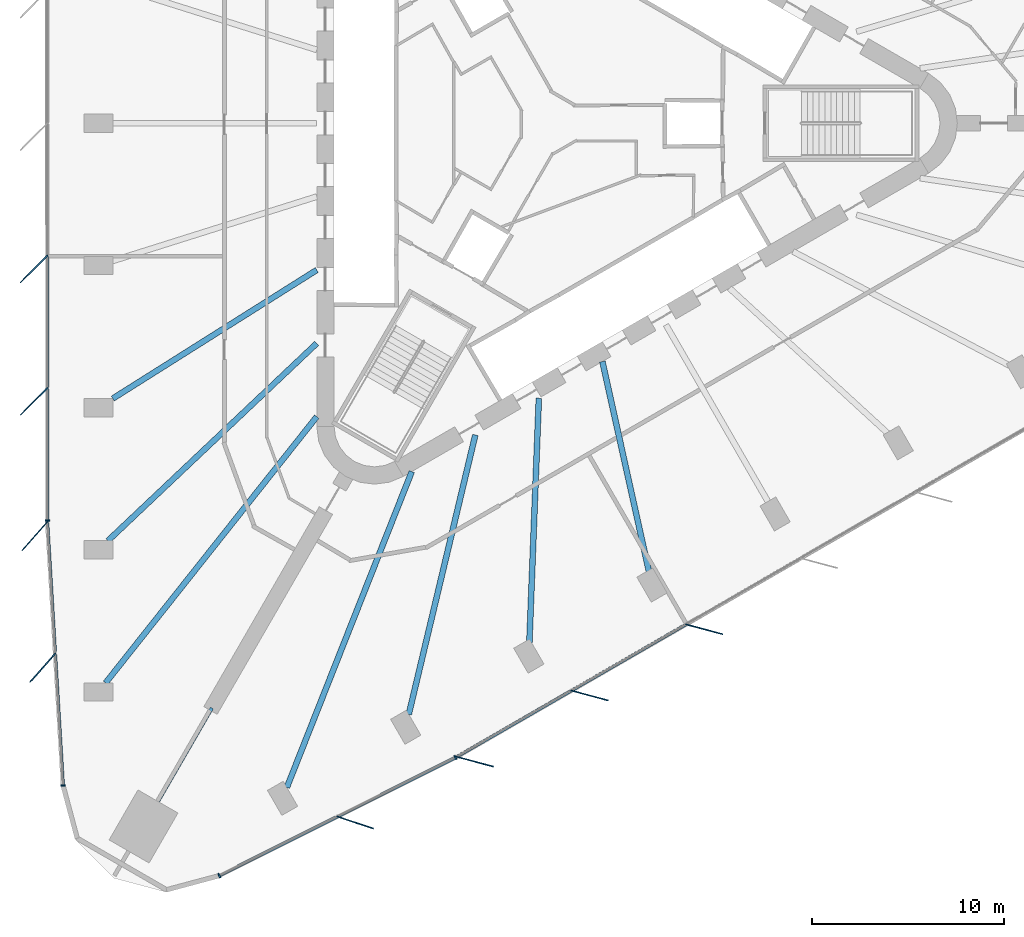
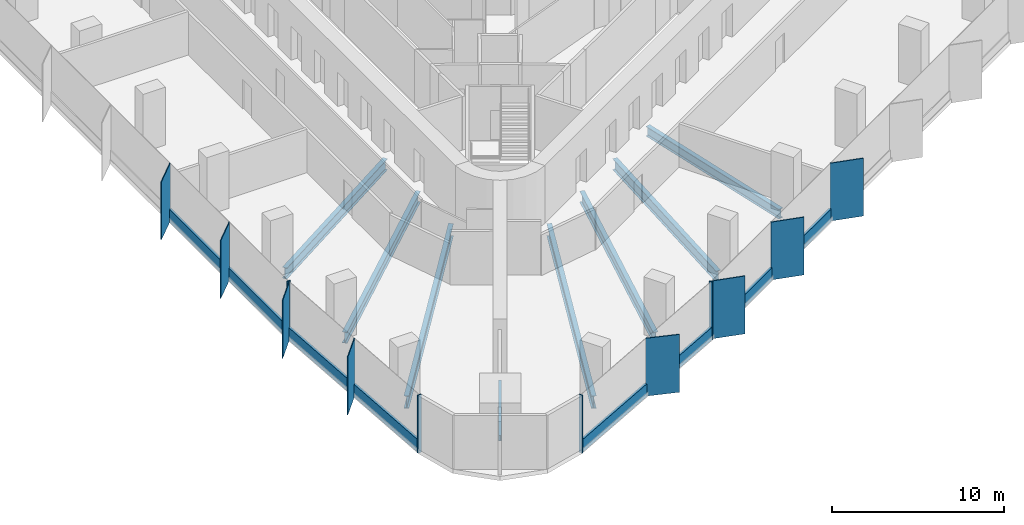
# One storey, part 2 of 14: 20 members, 8 beams, 4 elements without a shape of their own.
"""IFC4 building model written with IfcOpenShell, lengths in metres."""

from ifc_helpers import new_model, si_unit, direction, frame, origin, origin_2d, place, context, subcontext, project, spatial, rectangle, i_section, extrude, material, material_profile, profile_set, type_object, element, aggregate, save


model = new_model("IFC4")

# Units and contexts
model_context = context("Model", 3, precision=1e-05, world=origin(), true_north=direction((0.0, 1.0)))
body_context = subcontext(model_context, "Body", "Model", "MODEL_VIEW")
ifc_project = project(units=[si_unit("LENGTHUNIT", "METRE"), si_unit("AREAUNIT", "SQUARE_METRE"), si_unit("VOLUMEUNIT", "CUBIC_METRE"), si_unit("PLANEANGLEUNIT", "RADIAN"), si_unit("MASSUNIT", "GRAM", prefix="KILO")], contexts=[model_context])

# Site, building, storey
site_placement = place(None, origin())
site = spatial("IfcSite", under=ifc_project, at=site_placement, CompositionType="ELEMENT")
building_placement = place(site_placement, origin())
building = spatial("IfcBuilding", under=site, at=building_placement, Name="Tanit Gate Tower", CompositionType="ELEMENT")
storey_placement = place(building_placement, frame((0.0, 0.0, 45.5)))
storey = spatial("IfcBuildingStorey", under=building, at=storey_placement, Name="L07", CompositionType="ELEMENT", Elevation=45.5)

# Curtain wall, members
ifc_material_1 = material(Name="Aluminium bronze anodised and glass", Category="aluminium")
curtain_wall_type = type_object("IfcCurtainWallType", Name="Curtain wall typical low", PredefinedType="NOTDEFINED", material=ifc_material_1)
curtain_wall_1_placement = place(storey_placement, origin())
curtain_wall_1 = element("IfcCurtainWall", 1, at=curtain_wall_1_placement, inside=storey, type_object=curtain_wall_type, Name="Curtain wall L07 W2", PredefinedType="NOTDEFINED")
ifc_material_2 = material(Name="Aluminium bronze anodised", Category="aluminium")
ifc_material_profile_1 = material_profile(ifc_material_2, rectangle(XDim=2.0, YDim=0.055908203125, at=origin_2d()), Name="56x2000 bronze fin mullion")
ifc_profile_set_1 = profile_set([ifc_material_profile_1], Name="Aluminium bronze anodised")
member_type_1 = type_object("IfcMemberType", Name="FIN MULLION 56x2000 bronze", PredefinedType="MULLION", material=ifc_profile_set_1)
member_1_placement = place(storey_placement, frame((-26.799072265625, -7.572998046875, -0.300048828125), z_axis=(0.0, 0.0, 1.0), x_axis=(0.707057749571, 0.707155809403, 0.0)))
member_1 = element("IfcMember", 2, at=member_1_placement, type_object=member_type_1, Name="Fin mullion L07 W2.5", PredefinedType="MULLION", context=body_context, shape_type="SweptSolid", body=[
    extrude(rectangle(XDim=2.0, YDim=0.055908203125, at=origin_2d()), origin(), (0.0, 0.0, 1.0), 4.10009765625),
])
member_2_placement = place(storey_placement, frame((-26.798583984375, -14.45458984375, -0.300048828125), z_axis=(0.0, 0.0, 1.0), x_axis=(0.707057749571, 0.707155809403, 0.0)))
member_2 = element("IfcMember", 3, at=member_2_placement, type_object=member_type_1, Name="Fin mullion L07 W2.6", PredefinedType="MULLION", context=body_context, shape_type="SweptSolid", body=[
    extrude(rectangle(XDim=2.0, YDim=0.055908203125, at=origin_2d()), origin(), (0.0, 0.0, 1.0), 4.10009765625),
])

curtain_wall_2_placement = place(storey_placement, origin())
curtain_wall_2 = element("IfcCurtainWall", 4, at=curtain_wall_2_placement, inside=storey, type_object=curtain_wall_type, Name="Curtain wall L07 W3", PredefinedType="NOTDEFINED")
member_3_placement = place(storey_placement, frame((-26.753173828125, -21.456298828125, -0.300048828125), z_axis=(0.0, 0.0, 1.0), x_axis=(0.663702749837, 0.747996430378, 0.0)))
member_3 = element("IfcMember", 5, at=member_3_placement, type_object=member_type_1, Name="Fin mullion L07 W3.1", PredefinedType="MULLION", context=body_context, shape_type="SweptSolid", body=[
    extrude(rectangle(XDim=2.0, YDim=0.055908203125, at=origin_2d()), origin(), (0.0, 0.0, 1.0), 4.10009765625),
])
member_4_placement = place(storey_placement, frame((-26.34423828125, -28.3046875, -0.300048828125), z_axis=(0.0, 0.0, 1.0), x_axis=(0.663702749837, 0.747996430378, 0.0)))
member_4 = element("IfcMember", 6, at=member_4_placement, type_object=member_type_1, Name="Fin mullion L07 W3.2", PredefinedType="MULLION", context=body_context, shape_type="SweptSolid", body=[
    extrude(rectangle(XDim=2.0, YDim=0.055908203125, at=origin_2d()), origin(), (0.0, 0.0, 1.0), 4.10009765625),
])

# Curtain wall, member
curtain_wall_3_placement = place(storey_placement, origin())
curtain_wall_3 = element("IfcCurtainWall", 7, at=curtain_wall_3_placement, inside=storey, type_object=curtain_wall_type, Name="Curtain wall L07 SE1", PredefinedType="NOTDEFINED")
member_5_placement = place(storey_placement, frame((-10.103759765625, -36.35009765625, -0.300048828125), z_axis=(0.0, 0.0, 1.0), x_axis=(-0.94871615191, 0.316129187366, 0.0)))
member_5 = element("IfcMember", 8, at=member_5_placement, type_object=member_type_1, Name="Fin mullion L07 SE1.2", PredefinedType="MULLION", context=body_context, shape_type="SweptSolid", body=[
    extrude(rectangle(XDim=2.0, YDim=0.055908203125, at=origin_2d()), origin(), (0.0, 0.0, 1.0), 4.10009765625),
])

# Curtain wall, members
curtain_wall_4_placement = place(storey_placement, origin())
curtain_wall_4 = element("IfcCurtainWall", 9, at=curtain_wall_4_placement, inside=storey, type_object=curtain_wall_type, Name="Curtain wall L07 SE2", PredefinedType="NOTDEFINED")
member_6_placement = place(storey_placement, frame((-3.88037109375, -33.187255859375, -0.300048828125), z_axis=(0.0, 0.0, 1.0), x_axis=(-0.965943770162, 0.25875206837, 0.0)))
member_6 = element("IfcMember", 10, at=member_6_placement, type_object=member_type_1, Name="Fin mullion L07 SE2.1", PredefinedType="MULLION", context=body_context, shape_type="SweptSolid", body=[
    extrude(rectangle(XDim=2.0, YDim=0.055908203125, at=origin_2d()), origin(), (0.0, 0.0, 1.0), 4.10009765625),
])
member_7_placement = place(storey_placement, frame((2.0791015625, -29.74609375, -0.300048828125), z_axis=(0.0, 0.0, 1.0), x_axis=(-0.965943770162, 0.25875206837, 0.0)))
member_7 = element("IfcMember", 11, at=member_7_placement, type_object=member_type_1, Name="Fin mullion L07 SE2.2", PredefinedType="MULLION", context=body_context, shape_type="SweptSolid", body=[
    extrude(rectangle(XDim=2.0, YDim=0.055908203125, at=origin_2d()), origin(), (0.0, 0.0, 1.0), 4.10009765625),
])
member_8_placement = place(storey_placement, frame((8.038818359375, -26.3046875, -0.300048828125), z_axis=(0.0, 0.0, 1.0), x_axis=(-0.965943770162, 0.25875206837, 0.0)))
member_8 = element("IfcMember", 12, at=member_8_placement, type_object=member_type_1, Name="Fin mullion L07 SE2.3", PredefinedType="MULLION", context=body_context, shape_type="SweptSolid", body=[
    extrude(rectangle(XDim=2.0, YDim=0.055908203125, at=origin_2d()), origin(), (0.0, 0.0, 1.0), 4.10009765625),
])

# Member
ifc_material_3 = material(Name="Aluminium bronze anodised", Category="aluminium")
ifc_material_profile_2 = material_profile(ifc_material_3, rectangle(XDim=0.239990234375, YDim=0.080078125, at=origin_2d()), Name="80x240 bronze mullion")
ifc_profile_set_2 = profile_set([ifc_material_profile_2], Name="Aluminium bronze anodised")
member_type_2 = type_object("IfcMemberType", Name="Mullion 80x240 typical low", PredefinedType="MULLION", material=ifc_profile_set_2)
member_9_placement = place(storey_placement, frame((-26.10693359375, -20.645263671875, -0.300048828125), z_axis=(0.0, 0.0, 1.0), x_axis=(0.999999997596, 6.9338772e-05, 0.0)))
member_9 = element("IfcMember", 13, at=member_9_placement, type_object=member_type_2, Name="Mullion L07 W2.7", PredefinedType="MULLION", context=body_context, shape_type="SweptSolid", body=[
    extrude(rectangle(XDim=0.239990234375, YDim=0.080078125, at=origin_2d()), origin(), (0.0, 0.0, 1.0), 4.10009765625),
])

member_10_placement = place(storey_placement, frame((-25.28662109375, -34.422119140625, -0.300048828125), z_axis=(0.0, 0.0, 1.0), x_axis=(0.998222063326, 0.059604633121, 0.0)))
member_10 = element("IfcMember", 14, at=member_10_placement, type_object=member_type_2, Name="Mullion L07 W3.3", PredefinedType="MULLION", context=body_context, shape_type="SweptSolid", body=[
    extrude(rectangle(XDim=0.239990234375, YDim=0.080078125, at=origin_2d()), origin(), (0.0, 0.0, 1.0), 4.10009765625),
])

member_11_placement = place(storey_placement, frame((-17.167236328125, -39.110107421875, -0.300048828125), z_axis=(0.0, 0.0, 1.0), x_axis=(-0.44730653232, 0.894380716554, 0.0)))
member_11 = element("IfcMember", 15, at=member_11_placement, type_object=member_type_2, Name="Mullion L07 SE1.1", PredefinedType="MULLION", context=body_context, shape_type="SweptSolid", body=[
    extrude(rectangle(XDim=0.239990234375, YDim=0.080078125, at=origin_2d()), origin(), (0.0, 0.0, 1.0), 4.10009765625),
])

member_12_placement = place(storey_placement, frame((-4.894775390625, -32.972412109375, -0.300048828125), z_axis=(0.0, 0.0, 1.0), x_axis=(-0.44730653232, 0.894380716554, 0.0)))
member_12 = element("IfcMember", 16, at=member_12_placement, type_object=member_type_2, Name="Mullion L07 SE1.3", PredefinedType="MULLION", context=body_context, shape_type="SweptSolid", body=[
    extrude(rectangle(XDim=0.239990234375, YDim=0.080078125, at=origin_2d()), origin(), (0.0, 0.0, 1.0), 4.10009765625),
])

# Beams
ifc_material_4 = material(Name="Steel S355", Category="steel")
ifc_material_profile_3 = material_profile(ifc_material_4, i_section(OverallWidth=0.300048828125, OverallDepth=0.68994140625, WebThickness=0.014404296875, FlangeThickness=0.027099609375, FilletRadius=0.027099609375, at=origin_2d()), Name="HEA 700")
ifc_profile_set_3 = profile_set([ifc_material_profile_3], Name="Steel S355")
beam_type_1 = type_object("IfcBeamType", Name="RADIAL GIRDER HEA 700 S355", PredefinedType="BEAM", material=ifc_profile_set_3)
beam_1_placement = place(storey_placement, frame((5.223388671875, -23.54638671875, -0.64501953125), z_axis=(-0.216566322121, 0.976267907965, 0.0), x_axis=(-0.976267907965, -0.216566322121, 0.0)))
element("IfcBeam", 17, at=beam_1_placement, inside=storey, type_object=beam_type_1, Name="RADIAL GIRDER", PredefinedType="BEAM", context=body_context, shape_type="SweptSolid", body=[
    extrude(i_section(OverallWidth=0.300048828125, OverallDepth=0.68994140625, WebThickness=0.014404296875, FlangeThickness=0.027099609375, FilletRadius=0.027099609375, at=origin_2d()), origin(), (0.0, 0.0, 1.0), 11.429931640625),
])
ifc_material_5 = material(Name="Steel S355", Category="steel")
ifc_material_profile_4 = material_profile(ifc_material_5, i_section(OverallWidth=0.300048828125, OverallDepth=0.7900390625, WebThickness=0.014892578125, FlangeThickness=0.028076171875, FilletRadius=0.030029296875, at=origin_2d()), Name="HEA 800")
ifc_profile_set_4 = profile_set([ifc_material_profile_4], Name="Steel S355")
beam_type_2 = type_object("IfcBeamType", Name="RADIAL GIRDER HEA 800 S355", PredefinedType="BEAM", material=ifc_profile_set_4)
beam_2_placement = place(storey_placement, frame((-22.703369140625, -14.310302734375, -0.695068359375), z_axis=(0.845964004255, 0.533240005537, 0.0), x_axis=(-0.533240005537, 0.845964004255, 0.0)))
element("IfcBeam", 18, at=beam_2_placement, inside=storey, type_object=beam_type_2, Name="RADIAL GIRDER", PredefinedType="BEAM", context=body_context, shape_type="SweptSolid", body=[
    extrude(i_section(OverallWidth=0.300048828125, OverallDepth=0.7900390625, WebThickness=0.014892578125, FlangeThickness=0.028076171875, FilletRadius=0.030029296875, at=origin_2d()), origin(), (0.0, 0.0, 1.0), 12.53173828125),
])
beam_3_placement = place(storey_placement, frame((-22.950927734375, -21.69921875, -0.695068359375), z_axis=(0.726639827007, 0.687018603683, 0.0), x_axis=(-0.687018603683, 0.726639827007, 0.0)))
element("IfcBeam", 19, at=beam_3_placement, inside=storey, type_object=beam_type_2, Name="RADIAL GIRDER", PredefinedType="BEAM", context=body_context, shape_type="SweptSolid", body=[
    extrude(i_section(OverallWidth=0.300048828125, OverallDepth=0.7900390625, WebThickness=0.014892578125, FlangeThickness=0.028076171875, FilletRadius=0.030029296875, at=origin_2d()), origin(), (0.0, 0.0, 1.0), 14.93017578125),
])
beam_4_placement = place(storey_placement, frame((-7.316650390625, -30.725830078125, -0.695068359375), z_axis=(0.231658845557, 0.972797090495, 0.0), x_axis=(-0.972797090495, 0.231658845557, 0.0)))
element("IfcBeam", 20, at=beam_4_placement, inside=storey, type_object=beam_type_2, Name="RADIAL GIRDER", PredefinedType="BEAM", context=body_context, shape_type="SweptSolid", body=[
    extrude(i_section(OverallWidth=0.300048828125, OverallDepth=0.7900390625, WebThickness=0.014892578125, FlangeThickness=0.028076171875, FilletRadius=0.030029296875, at=origin_2d()), origin(), (0.0, 0.0, 1.0), 14.930419921875),
])
beam_5_placement = place(storey_placement, frame((-1.05517578125, -27.171142578125, -0.695068359375), z_axis=(0.038801292065, 0.999246946322, 0.0), x_axis=(-0.999246946322, 0.038801292065, 0.0)))
element("IfcBeam", 21, at=beam_5_placement, inside=storey, type_object=beam_type_2, Name="RADIAL GIRDER", PredefinedType="BEAM", context=body_context, shape_type="SweptSolid", body=[
    extrude(i_section(OverallWidth=0.300048828125, OverallDepth=0.7900390625, WebThickness=0.014892578125, FlangeThickness=0.028076171875, FilletRadius=0.030029296875, at=origin_2d()), origin(), (0.0, 0.0, 1.0), 12.88623046875),
])
ifc_material_6 = material(Name="Steel S355", Category="steel")
ifc_material_profile_5 = material_profile(ifc_material_6, i_section(OverallWidth=0.300048828125, OverallDepth=0.889892578125, WebThickness=0.01611328125, FlangeThickness=0.030029296875, FilletRadius=0.030029296875, at=origin_2d()), Name="HEA 900")
ifc_profile_set_5 = profile_set([ifc_material_profile_5], Name="Steel S355")
beam_type_3 = type_object("IfcBeamType", Name="RADIAL GIRDER HEA 900 S355", PredefinedType="BEAM", material=ifc_profile_set_5)
for number, where, z_axis, x_axis, name in (
    (22, (-23.07666015625, -29.0908203125, -0.7451171875), (0.621472845829, 0.783435703742, 0.0), (-0.783435703742, 0.621472845829, 0.0), "RADIAL GIRDER"),
    (23, (-13.655029296875, -34.5302734375, -0.7451171875), (0.36773841244, 0.929929276889, 0.0), (-0.929929276889, 0.36773841244, 0.0), "RADIAL GIRDER"),
):
    element("IfcBeam", number, at=place(storey_placement, frame(where, z_axis=z_axis, x_axis=x_axis)), inside=storey, type_object=beam_type_3, Name=name, PredefinedType="BEAM", context=body_context, shape_type="SweptSolid", body=[
        extrude(i_section(OverallWidth=0.300048828125, OverallDepth=0.889892578125, WebThickness=0.01611328125, FlangeThickness=0.030029296875, FilletRadius=0.030029296875, at=origin_2d()), origin(), (0.0, 0.0, 1.0), 17.658935546875),
    ])
ifc_material_7 = material(Name="Steel S355", Category="steel")
ifc_material_profile_6 = material_profile(ifc_material_7, i_section(OverallWidth=0.179931640625, OverallDepth=0.39990234375, WebThickness=0.008544921875, FlangeThickness=0.013427734375, FilletRadius=0.02099609375, at=origin_2d()), Name="IPE 400")
ifc_profile_set_6 = profile_set([ifc_material_profile_6], Name="Steel S355")
beam_type_4 = type_object("IfcBeamType", Name="RADIAL GIRDER IPE 400 S355", PredefinedType="BEAM", material=ifc_profile_set_6)
beam_6_placement = place(storey_placement, frame((-20.355712890625, -35.257080078125, -0.5), z_axis=(0.500016430238, 0.866015917575, 0.0), x_axis=(-0.866015917575, 0.500016430238, 0.0)))
element("IfcBeam", 24, at=beam_6_placement, inside=storey, type_object=beam_type_4, Name="RADIAL GIRDER", PredefinedType="BEAM", context=body_context, shape_type="SweptSolid", body=[
    extrude(i_section(OverallWidth=0.179931640625, OverallDepth=0.39990234375, WebThickness=0.008544921875, FlangeThickness=0.013427734375, FilletRadius=0.02099609375, at=origin_2d()), origin(), (0.0, 0.0, 1.0), 5.607177734375),
])

# Member
ifc_material_8 = material(Name="Aluminium bronze anodised", Category="aluminium")
ifc_material_profile_7 = material_profile(ifc_material_8, rectangle(XDim=0.159912109375, YDim=0.89990234375, at=origin_2d()), Name="160x900 bronze transom")
ifc_profile_set_7 = profile_set([ifc_material_profile_7], Name="Aluminium bronze anodised")
member_type_3 = type_object("IfcMemberType", Name="Transom 160x900 typical low", PredefinedType="USERDEFINED", material=ifc_profile_set_7)
member_13_placement = place(storey_placement, frame((-26.10791015625, -6.921630859375, 0.14990234375), z_axis=(7.1784932e-05, -0.999999997423, 0.0), x_axis=(0.999999997423, 7.1784932e-05, 0.0)))
member_13 = element("IfcMember", 25, at=member_13_placement, type_object=member_type_3, Name="Transom L07 W2.5", ObjectType="TRANSOM", PredefinedType="USERDEFINED", context=body_context, shape_type="SweptSolid", body=[
    extrude(rectangle(XDim=0.159912109375, YDim=0.89990234375, at=origin_2d()), origin(), (0.0, 0.0, 1.0), 6.802001953125),
])

member_14_placement = place(storey_placement, frame((-26.107421875, -13.803466796875, 0.14990234375), z_axis=(7.1787509e-05, -0.999999997423, 0.0), x_axis=(0.999999997423, 7.1787509e-05, 0.0)))
member_14 = element("IfcMember", 26, at=member_14_placement, type_object=member_type_3, Name="Transom L07 W2.6", ObjectType="TRANSOM", PredefinedType="USERDEFINED", context=body_context, shape_type="SweptSolid", body=[
    extrude(rectangle(XDim=0.159912109375, YDim=0.89990234375, at=origin_2d()), origin(), (0.0, 0.0, 1.0), 6.8017578125),
])

aggregate(curtain_wall_1, [member_1, member_2, member_9, member_13, member_14])

member_15_placement = place(storey_placement, frame((-26.102294921875, -20.76513671875, 0.14990234375), z_axis=(0.059625367417, -0.998220825048, 0.0), x_axis=(0.998220825048, 0.059625367417, 0.0)))
member_15 = element("IfcMember", 27, at=member_15_placement, type_object=member_type_3, Name="Transom L07 W3.1", ObjectType="TRANSOM", PredefinedType="USERDEFINED", context=body_context, shape_type="SweptSolid", body=[
    extrude(rectangle(XDim=0.159912109375, YDim=0.89990234375, at=origin_2d()), origin(), (0.0, 0.0, 1.0), 6.780517578125),
])

member_16_placement = place(storey_placement, frame((-25.693359375, -27.613525390625, 0.14990234375), z_axis=(0.059623224463, -0.998220953048, 0.0), x_axis=(0.998220953048, 0.059623224463, 0.0)))
member_16 = element("IfcMember", 28, at=member_16_placement, type_object=member_type_3, Name="Transom L07 W3.2", ObjectType="TRANSOM", PredefinedType="USERDEFINED", context=body_context, shape_type="SweptSolid", body=[
    extrude(rectangle(XDim=0.159912109375, YDim=0.89990234375, at=origin_2d()), origin(), (0.0, 0.0, 1.0), 6.78076171875),
])

aggregate(curtain_wall_2, [member_3, member_4, member_10, member_15, member_16])

member_17_placement = place(storey_placement, frame((-17.13134765625, -39.09228515625, 0.14990234375), z_axis=(0.894376779639, 0.447314404019, 0.0), x_axis=(-0.447314404019, 0.894376779639, 0.0)))
member_17 = element("IfcMember", 29, at=member_17_placement, type_object=member_type_3, Name="Transom L07 SE1.1", ObjectType="TRANSOM", PredefinedType="USERDEFINED", context=body_context, shape_type="SweptSolid", body=[
    extrude(rectangle(XDim=0.159912109375, YDim=0.89990234375, at=origin_2d()), origin(), (0.0, 0.0, 1.0), 6.781005859375),
])

member_18_placement = place(storey_placement, frame((-10.9951171875, -36.023193359375, 0.14990234375), z_axis=(0.89438397987, 0.447300007324, 0.0), x_axis=(-0.447300007324, 0.89438397987, 0.0)))
member_18 = element("IfcMember", 30, at=member_18_placement, type_object=member_type_3, Name="Transom L07 SE1.2", ObjectType="TRANSOM", PredefinedType="USERDEFINED", context=body_context, shape_type="SweptSolid", body=[
    extrude(rectangle(XDim=0.159912109375, YDim=0.89990234375, at=origin_2d()), origin(), (0.0, 0.0, 1.0), 6.780517578125),
])

aggregate(curtain_wall_3, [member_11, member_5, member_12, member_17, member_18])

member_19_placement = place(storey_placement, frame((-4.789794921875, -32.914306640625, 0.14990234375), z_axis=(0.866005663404, 0.500034189783, 0.0), x_axis=(-0.500034189783, 0.866005663404, 0.0)))
member_19 = element("IfcMember", 31, at=member_19_placement, type_object=member_type_3, Name="Transom L07 SE2.1", ObjectType="TRANSOM", PredefinedType="USERDEFINED", context=body_context, shape_type="SweptSolid", body=[
    extrude(rectangle(XDim=0.159912109375, YDim=0.89990234375, at=origin_2d()), origin(), (0.0, 0.0, 1.0), 6.8017578125),
])

member_20_placement = place(storey_placement, frame((1.169921875, -29.47314453125, 0.14990234375), z_axis=(0.865981144299, 0.500076651843, 0.0), x_axis=(-0.500076651843, 0.865981144299, 0.0)))
member_20 = element("IfcMember", 32, at=member_20_placement, type_object=member_type_3, Name="Transom L07 SE2.2", ObjectType="TRANSOM", PredefinedType="USERDEFINED", context=body_context, shape_type="SweptSolid", body=[
    extrude(rectangle(XDim=0.159912109375, YDim=0.89990234375, at=origin_2d()), origin(), (0.0, 0.0, 1.0), 6.8017578125),
])

aggregate(curtain_wall_4, [member_6, member_7, member_8, member_19, member_20])

save(model, "model.ifc")
